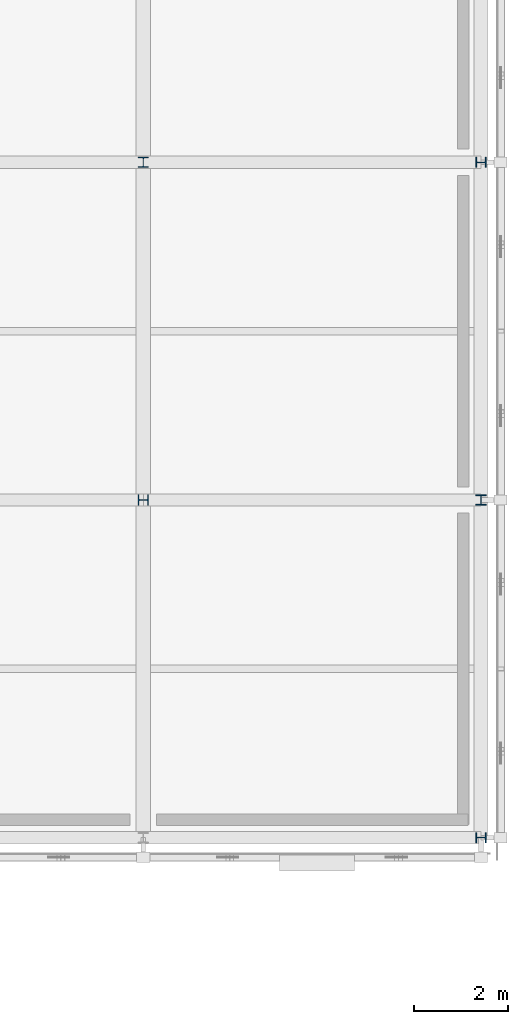
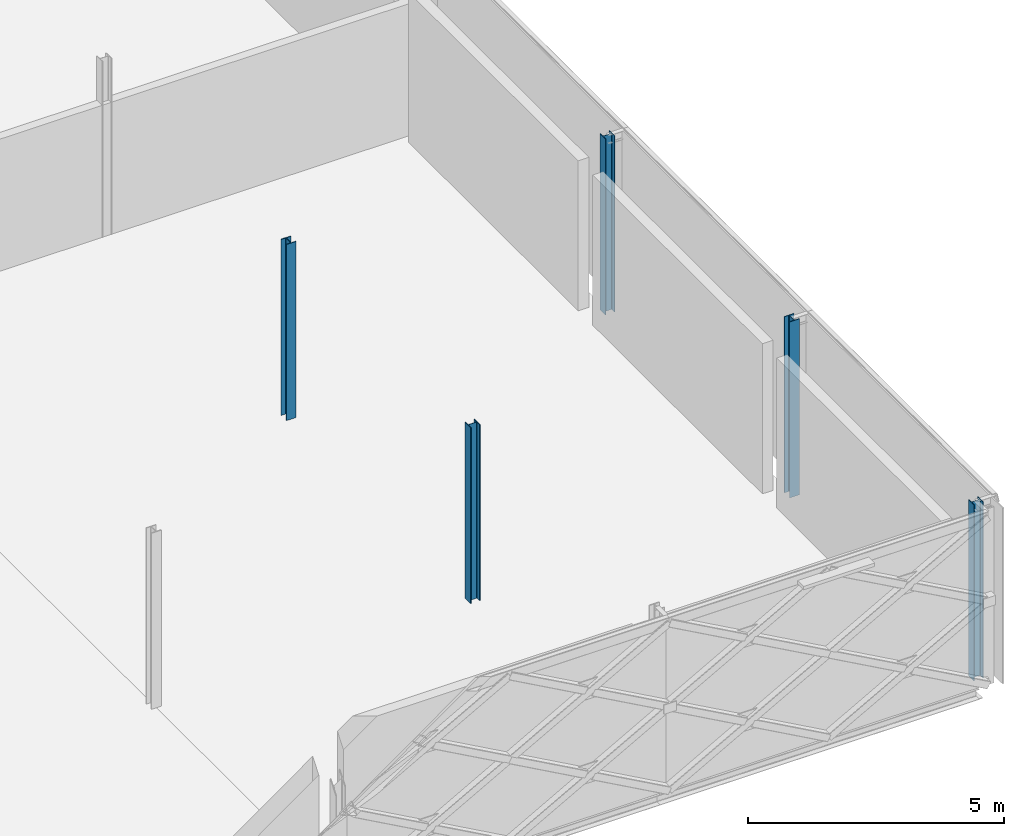
# One storey, part 15 of 126: 5 columns.
"""IFC4 building model written with IfcOpenShell, lengths in metres."""

from ifc_helpers import new_model, si_unit, direction, frame, origin, origin_2d, place, context, subcontext, project, spatial, i_section, extrude, material, material_profile, profile_set, type_object, element, save


model = new_model("IFC4")

# Units and contexts
model_context = context("Model", 3, precision=1e-05, world=origin(), true_north=direction((0.0, 1.0)))
body_context = subcontext(model_context, "Body", "Model", "MODEL_VIEW")
ifc_project = project(units=[si_unit("LENGTHUNIT", "METRE"), si_unit("AREAUNIT", "SQUARE_METRE"), si_unit("VOLUMEUNIT", "CUBIC_METRE"), si_unit("PLANEANGLEUNIT", "RADIAN"), si_unit("MASSUNIT", "GRAM", prefix="KILO")], contexts=[model_context])

# Site, building, storey
site_placement = place(None, origin())
site = spatial("IfcSite", under=ifc_project, at=site_placement, CompositionType="ELEMENT")
building_placement = place(site_placement, origin())
building = spatial("IfcBuilding", under=site, at=building_placement, Name="Zlatovets Crest Museum", CompositionType="ELEMENT")
storey_placement = place(building_placement, frame((0.0, 0.0, 8.699951171875)))
storey = spatial("IfcBuildingStorey", under=building, at=storey_placement, Name="L02", CompositionType="ELEMENT", Elevation=8.699951171875)

# Columns
ifc_material = material(Name="Structural steel S355J2", Category="steel")
ifc_material_profile = material_profile(ifc_material, i_section(OverallWidth=0.219970703125, OverallDepth=0.219970703125, WebThickness=0.009521484375, FlangeThickness=0.01611328125, FilletRadius=0.01806640625, at=origin_2d()), Name="HEB 220")
ifc_profile_set = profile_set([ifc_material_profile], Name="Structural steel S355J2")
column_type = type_object("IfcColumnType", Name="Col_C-19", PredefinedType="COLUMN", material=ifc_profile_set)
for number, where, z_axis, x_axis, name in (
    (1, (158.39990234375, 21.60009765625, 0.0), (0.0, 0.0, 1.0), (0.0, 1.0, 0.0), "V5 L02 Column (158.4, 21.6)"),
    (2, (158.39990234375, 28.800048828125, 0.0), (0.0, 0.0, 1.0), (1.0, 0.0, 0.0), "V5 L02 Column (158.4, 28.8)"),
    (3, (165.60009765625, 14.39990234375, 0.0), (0.0, 0.0, 1.0), (0.0, 1.0, 0.0), "V5 L02 Column (165.6, 14.4)"),
    (4, (165.60009765625, 21.60009765625, 0.0), (0.0, 0.0, 1.0), (1.0, 0.0, 0.0), "V5 L02 Column (165.6, 21.6)"),
    (5, (165.60009765625, 28.800048828125, 0.0), (0.0, 0.0, 1.0), (0.0, 1.0, 0.0), "V5 L02 Column (165.6, 28.8)"),
):
    element("IfcColumn", number, at=place(storey_placement, frame(where, z_axis=z_axis, x_axis=x_axis)), inside=storey, type_object=column_type, Name=name, PredefinedType="COLUMN", context=body_context, shape_type="SweptSolid", body=[
        extrude(i_section(OverallWidth=0.219970703125, OverallDepth=0.219970703125, WebThickness=0.009521484375, FlangeThickness=0.01611328125, FilletRadius=0.01806640625, at=origin_2d()), origin(), (0.0, 0.0, 1.0), 4.199951171875),
    ])

save(model, "model.ifc")
